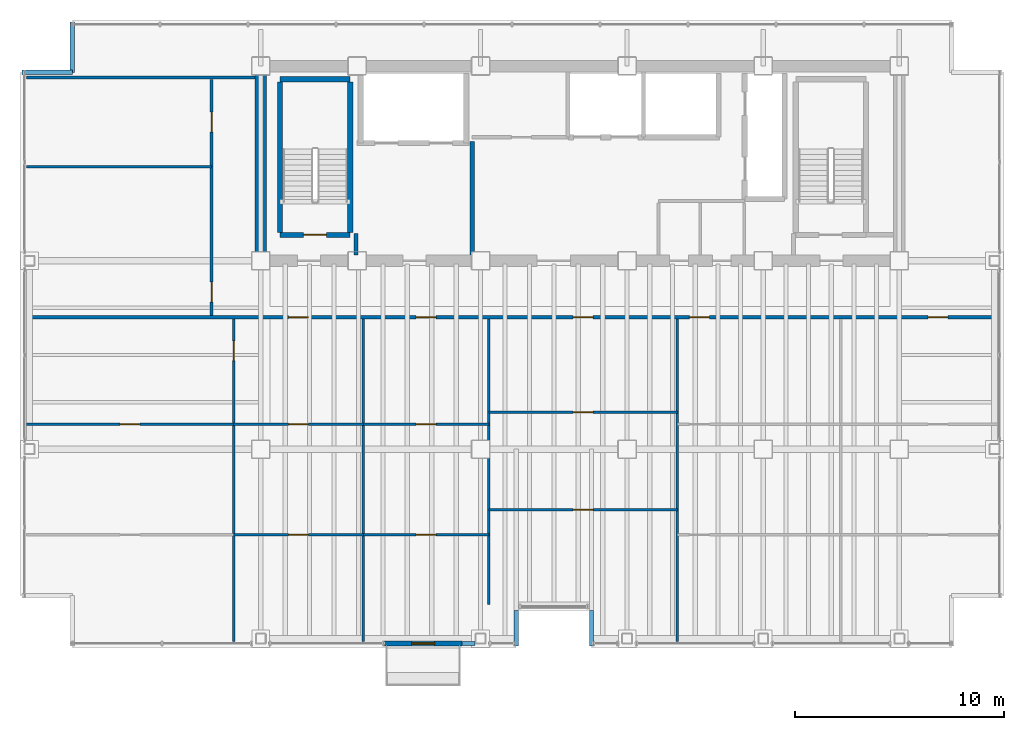
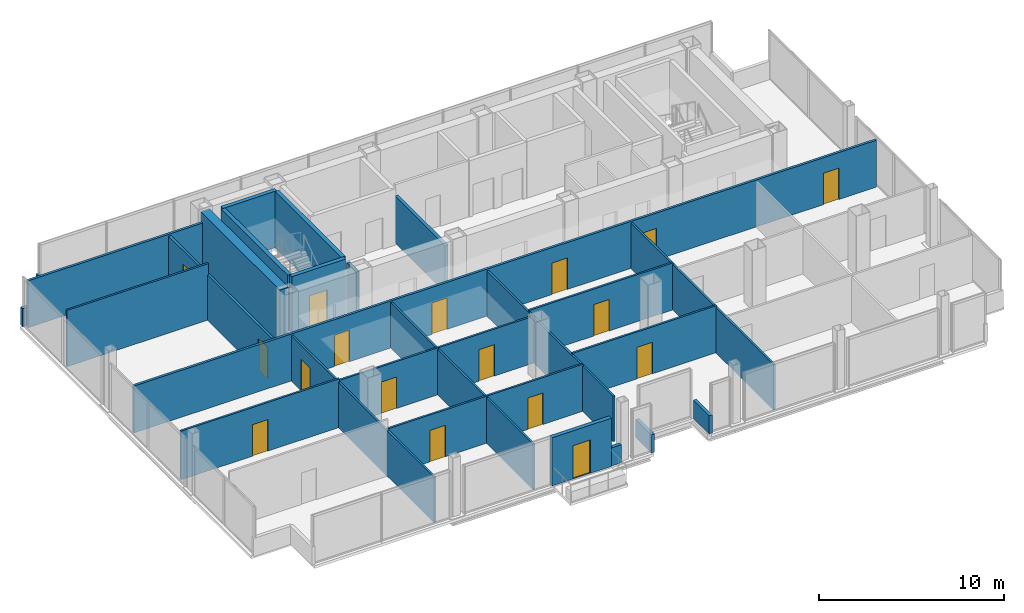
# One storey, part 19 of 22: 28 walls, 17 doors, 17 openings.
"""IFC4 building model written with IfcOpenShell, lengths in metres."""

from ifc_helpers import new_model, si_unit, direction, frame, frame_2d, origin, place, context, subcontext, project, spatial, rectangle, extrude, material, layer, layer_set, type_object, element, fill, save


model = new_model("IFC4")

# Units and contexts
model_context = context("Model", 3, precision=1e-05, world=origin(), true_north=direction((0.0, 1.0)))
body_context = subcontext(model_context, "Body", "Model", "MODEL_VIEW")
ifc_project = project(units=[si_unit("LENGTHUNIT", "METRE"), si_unit("AREAUNIT", "SQUARE_METRE"), si_unit("VOLUMEUNIT", "CUBIC_METRE"), si_unit("PLANEANGLEUNIT", "RADIAN"), si_unit("MASSUNIT", "GRAM", prefix="KILO")], contexts=[model_context])

# Site, building, storey
site_placement = place(None, origin())
site = spatial("IfcSite", under=ifc_project, at=site_placement, CompositionType="ELEMENT")
building_placement = place(site_placement, origin())
building = spatial("IfcBuilding", under=site, at=building_placement, Name="Noeulbin Bourse Tower", CompositionType="ELEMENT")
storey_placement = place(building_placement, frame((0.0, 0.0, 130.5)))
storey = spatial("IfcBuildingStorey", under=building, at=storey_placement, Name="L32", CompositionType="ELEMENT", Elevation=130.5)

# Wall
ifc_material_1 = material(Name="Concrete C60/75", Category="concrete")
ifc_layer_1 = layer(ifc_material_1, 0.550048828125)
ifc_layer_set_1 = layer_set([ifc_layer_1], Name="Concrete C60/75")
wall_type_1 = type_object("IfcWallType", Name="WAL-CORE-550", PredefinedType="SHEAR", material=ifc_layer_set_1)
wall_1_placement = place(storey_placement, frame((13.5, 29.35009765625, 0.0), z_axis=(0.0, 0.0, 1.0), x_axis=(0.0, 1.0, 0.0)))
element("IfcWall", 1, at=wall_1_placement, inside=storey, type_object=wall_type_1, Name="Rear Core West Shear Wall L32", PredefinedType="SHEAR", context=body_context, shape_type="SweptSolid", body=[
    extrude(rectangle(XDim=8.599853515625, YDim=0.550048828125, at=frame_2d((4.2998046875, 0.0))), origin(), (0.0, 0.0, 1.0), 3.719970703125),
])

# Wall, opening, door
ifc_material_2 = material(Name="Precast Concrete C40/50", Category="concrete")
ifc_layer_2 = layer(ifc_material_2, 0.25)
ifc_layer_set_2 = layer_set([ifc_layer_2], Name="Precast Concrete C40/50")
wall_type_2 = type_object("IfcWallType", Name="WAL-EXT-250", PredefinedType="STANDARD", material=ifc_layer_set_2)
wall_2_placement = place(storey_placement, frame((19.39990234375, 10.719970703125, 0.0), z_axis=(0.0, 0.0, 1.0), x_axis=(1.0, 0.0, 0.0)))
wall_2 = element("IfcWall", 2, at=wall_2_placement, inside=storey, type_object=wall_type_2, Name="Balcony Threshold Wall L32", PredefinedType="STANDARD", context=body_context, shape_type="SweptSolid", body=[
    extrude(rectangle(XDim=3.7001953125, YDim=0.25, at=frame_2d((1.85009765625, 0.0))), origin(), (0.0, 0.0, 1.0), 3.179931640625),
])
opening_1_placement = place(wall_2_placement, frame((1.300048828125, 0.0, 0.0)))
opening_1 = element("IfcOpeningElement", 3, at=opening_1_placement, cuts=wall_2, Name="Opening BD-11", PredefinedType="OPENING", context=body_context, shape_type="SweptSolid", body=[
    extrude(rectangle(XDim=1.10009765625, YDim=2.199951171875, at=frame_2d((0.550048828125, 1.10009765625))), frame((0.0, 0.135009765625, 0.0), z_axis=(0.0, -1.0, 0.0), x_axis=(1.0, 0.0, 0.0)), (0.0, 0.0, 1.0), 0.27001953125),
])
ifc_material_3 = material(Name="Thermally Broken Aluminium Framed Glass", Category="aluminium")
door_type_1 = type_object("IfcDoorType", Name="DR-BAL-1100", OperationType="SINGLE_SWING_LEFT", PredefinedType="DOOR", material=ifc_material_3)
door_1_placement = place(opening_1_placement, origin())
door_1 = element("IfcDoor", 4, at=door_1_placement, inside=storey, type_object=door_type_1, Name="Tree-Balcony Access Door BD-L32", OperationType="SINGLE_SWING_RIGHT", OverallHeight=2.199951171875, OverallWidth=1.10009765625, PredefinedType="DOOR", context=body_context, shape_type="SweptSolid", body=[
    extrude(rectangle(XDim=1.10009765625, YDim=2.199951171875, at=frame_2d((0.550048828125, 1.10009765625))), frame((0.0, 0.02490234375, 0.0), z_axis=(0.0, -1.0, 0.0), x_axis=(1.0, 0.0, 0.0)), (0.0, 0.0, 1.0), 0.050048828125),
])
fill(opening_1, door_1)

# Walls
ifc_material_4 = material(Name="Concrete C40/50", Category="concrete")
ifc_layer_3 = layer(ifc_material_4, 0.199951171875)
ifc_layer_set_3 = layer_set([ifc_layer_3], Name="Concrete C40/50")
wall_type_3 = type_object("IfcWallType", Name="WAL-FIRE-200", PredefinedType="STANDARD", material=ifc_layer_set_3)
wall_3_placement = place(storey_placement, frame((18.050048828125, 29.284912109375, 0.0), z_axis=(0.0, 0.0, 1.0), x_axis=(0.0, 1.0, 0.0)))
element("IfcWall", 5, at=wall_3_placement, inside=storey, type_object=wall_type_3, Name="Interior Partition Wall L32-19", PredefinedType="STANDARD", context=body_context, shape_type="SweptSolid", body=[
    extrude(rectangle(XDim=1.01513671875, YDim=0.199951171875, at=frame_2d((0.507568359375, 0.0))), origin(), (0.0, 0.0, 1.0), 3.300048828125),
])
wall_4_placement = place(storey_placement, frame((23.60009765625, 29.284912109375, 0.0), z_axis=(0.0, 0.0, 1.0), x_axis=(0.0, 1.0, 0.0)))
element("IfcWall", 6, at=wall_4_placement, inside=storey, type_object=wall_type_3, Name="Interior Partition Wall L32-21", PredefinedType="STANDARD", context=body_context, shape_type="SweptSolid", body=[
    extrude(rectangle(XDim=5.4150390625, YDim=0.199951171875, at=frame_2d((2.70751953125, 0.0))), origin(), (0.0, 0.0, 1.0), 3.10009765625),
])
ifc_layer_4 = layer(ifc_material_4, 0.199951171875)
ifc_layer_set_4 = layer_set([ifc_layer_4], Name="Concrete C40/50")
wall_type_4 = type_object("IfcWallType", Name="WAL-PAR-200", PredefinedType="PARAPET", material=ifc_layer_set_4)
wall_5_placement = place(storey_placement, frame((23.10009765625, 10.719970703125, 0.0), z_axis=(0.0, 0.0, 1.0), x_axis=(1.0, 0.0, 0.0)))
element("IfcWall", 7, at=wall_5_placement, inside=storey, type_object=wall_type_4, Name="Perimeter Pier Spandrel Parapet L32-S1", PredefinedType="PARAPET", context=body_context, shape_type="SweptSolid", body=[
    extrude(rectangle(XDim=0.6298828125, YDim=0.199951171875, at=frame_2d((0.31494140625, 0.0))), origin(), (0.0, 0.0, 1.0), 1.199951171875),
])
for number, where, z_axis, x_axis, name in (
    (8, (2.10009765625, 38.0, 0.0), (0.0, 0.0, 1.0), (1.0, 0.0, 0.0), "Corner Notch Parapet L32-NW1"),
    (9, (4.5, 38.0, 0.0), (0.0, 0.0, 1.0), (0.0, 1.0, 0.0), "Corner Notch Parapet L32-NW2"),
):
    element("IfcWall", number, at=place(storey_placement, frame(where, z_axis=z_axis, x_axis=x_axis)), inside=storey, type_object=wall_type_4, Name=name, PredefinedType="PARAPET", context=body_context, shape_type="SweptSolid", body=[
        extrude(rectangle(XDim=2.39990234375, YDim=0.199951171875, at=frame_2d((1.199951171875, 0.0))), origin(), (0.0, 0.0, 1.0), 1.199951171875),
    ])
for number, where, z_axis, x_axis, name in (
    (10, (25.699951171875, 10.60009765625, 0.0), (0.0, 0.0, 1.0), (0.0, 1.0, 0.0), "Sky-Garden Recess Parapet L32-W"),
    (11, (29.300048828125, 12.300048828125, 0.0), (0.0, 0.0, 1.0), (0.0, -1.0, 0.0), "Sky-Garden Recess Parapet L32-E"),
):
    element("IfcWall", number, at=place(storey_placement, frame(where, z_axis=z_axis, x_axis=x_axis)), inside=storey, type_object=wall_type_4, Name=name, PredefinedType="PARAPET", context=body_context, shape_type="SweptSolid", body=[
        extrude(rectangle(XDim=1.699951171875, YDim=0.199951171875, at=frame_2d((0.85009765625, 0.0))), origin(), (0.0, 0.0, 1.0), 1.199951171875),
    ])

# Wall, opening, door
ifc_material_5 = material(Name="Steel Stud Gypsum Partition", Category="steel")
ifc_layer_5 = layer(ifc_material_5, 0.1201171875)
ifc_layer_set_5 = layer_set([ifc_layer_5], Name="Steel Stud Gypsum Partition")
wall_type_5 = type_object("IfcWallType", Name="WAL-PRT-120", PredefinedType="PARTITIONING", material=ifc_layer_set_5)
wall_6_placement = place(storey_placement, frame((2.31005859375, 21.18798828125, 0.0), z_axis=(0.0, 0.0, 1.0), x_axis=(1.0, 0.0, 0.0)))
wall_6 = element("IfcWall", 12, at=wall_6_placement, inside=storey, type_object=wall_type_5, Name="Interior Partition Wall L32-06", PredefinedType="PARTITIONING", context=body_context, shape_type="SweptSolid", body=[
    extrude(rectangle(XDim=9.889892578125, YDim=0.1201171875, at=frame_2d((4.94482421875, 0.0))), origin(), (0.0, 0.0, 1.0), 3.2119140625),
])
opening_2_placement = place(wall_6_placement, frame((4.469970703125, 0.0, 0.0)))
opening_2 = element("IfcOpeningElement", 13, at=opening_2_placement, cuts=wall_6, Name="Opening ID-09", PredefinedType="OPENING", context=body_context, shape_type="SweptSolid", body=[
    extrude(rectangle(XDim=0.949951171875, YDim=2.080078125, at=frame_2d((0.47509765625, 1.0400390625))), frame((0.0, 0.070068359375, 0.0), z_axis=(0.0, -1.0, 0.0), x_axis=(1.0, 0.0, 0.0)), (0.0, 0.0, 1.0), 0.14013671875),
])
ifc_material_6 = material(Name="Acoustic Solid-Core Timber", Category="wood")
door_type_2 = type_object("IfcDoorType", Name="DR-SINGLE-950", OperationType="SINGLE_SWING_LEFT", PredefinedType="DOOR", material=ifc_material_6)
door_2_placement = place(opening_2_placement, origin())
door_2 = element("IfcDoor", 14, at=door_2_placement, inside=storey, type_object=door_type_2, Name="Interior Door L32-08", OperationType="SINGLE_SWING_LEFT", OverallHeight=2.080078125, OverallWidth=0.949951171875, PredefinedType="DOOR", context=body_context, shape_type="SweptSolid", body=[
    extrude(rectangle(XDim=0.949951171875, YDim=2.080078125, at=frame_2d((0.47509765625, 1.0400390625))), frame((0.0, 0.02490234375, 0.0), z_axis=(0.0, -1.0, 0.0), x_axis=(1.0, 0.0, 0.0)), (0.0, 0.0, 1.0), 0.050048828125),
])
fill(opening_2, door_2)

wall_7_placement = place(storey_placement, frame((12.199951171875, 21.18798828125, 0.0), z_axis=(0.0, 0.0, 1.0), x_axis=(1.0, 0.0, 0.0)))
wall_7 = element("IfcWall", 15, at=wall_7_placement, inside=storey, type_object=wall_type_5, Name="Interior Partition Wall L32-08", PredefinedType="PARTITIONING", context=body_context, shape_type="SweptSolid", body=[
    extrude(rectangle(XDim=6.199951171875, YDim=0.1201171875, at=frame_2d((3.10009765625, 0.0))), origin(), (0.0, 0.0, 1.0), 3.10009765625),
])
opening_3_placement = place(wall_7_placement, frame((2.625, 0.0, 0.0)))
opening_3 = element("IfcOpeningElement", 16, at=opening_3_placement, cuts=wall_7, Name="Opening ID-09", PredefinedType="OPENING", context=body_context, shape_type="SweptSolid", body=[
    extrude(rectangle(XDim=0.949951171875, YDim=2.080078125, at=frame_2d((0.47509765625, 1.0400390625))), frame((0.0, 0.070068359375, 0.0), z_axis=(0.0, -1.0, 0.0), x_axis=(1.0, 0.0, 0.0)), (0.0, 0.0, 1.0), 0.14013671875),
])
door_3_placement = place(opening_3_placement, origin())
door_3 = element("IfcDoor", 17, at=door_3_placement, inside=storey, type_object=door_type_2, Name="Interior Door L32-11", OperationType="SINGLE_SWING_RIGHT", OverallHeight=2.080078125, OverallWidth=0.949951171875, PredefinedType="DOOR", context=body_context, shape_type="SweptSolid", body=[
    extrude(rectangle(XDim=0.949951171875, YDim=2.080078125, at=frame_2d((0.47509765625, 1.0400390625))), frame((0.0, 0.02490234375, 0.0), z_axis=(0.0, -1.0, 0.0), x_axis=(1.0, 0.0, 0.0)), (0.0, 0.0, 1.0), 0.050048828125),
])
fill(opening_3, door_3)

wall_8_placement = place(storey_placement, frame((12.199951171875, 15.922119140625, 0.0), z_axis=(0.0, 0.0, 1.0), x_axis=(1.0, 0.0, 0.0)))
wall_8 = element("IfcWall", 18, at=wall_8_placement, inside=storey, type_object=wall_type_5, Name="Interior Partition Wall L32-09", PredefinedType="PARTITIONING", context=body_context, shape_type="SweptSolid", body=[
    extrude(rectangle(XDim=6.199951171875, YDim=0.1201171875, at=frame_2d((3.10009765625, 0.0))), origin(), (0.0, 0.0, 1.0), 3.10009765625),
])
opening_4_placement = place(wall_8_placement, frame((2.625, 0.0, 0.0)))
opening_4 = element("IfcOpeningElement", 19, at=opening_4_placement, cuts=wall_8, Name="Opening ID-09", PredefinedType="OPENING", context=body_context, shape_type="SweptSolid", body=[
    extrude(rectangle(XDim=0.949951171875, YDim=2.080078125, at=frame_2d((0.47509765625, 1.0400390625))), frame((0.0, 0.070068359375, 0.0), z_axis=(0.0, -1.0, 0.0), x_axis=(1.0, 0.0, 0.0)), (0.0, 0.0, 1.0), 0.14013671875),
])
door_4_placement = place(opening_4_placement, origin())
door_4 = element("IfcDoor", 20, at=door_4_placement, inside=storey, type_object=door_type_2, Name="Interior Door L32-12", OperationType="SINGLE_SWING_LEFT", OverallHeight=2.080078125, OverallWidth=0.949951171875, PredefinedType="DOOR", context=body_context, shape_type="SweptSolid", body=[
    extrude(rectangle(XDim=0.949951171875, YDim=2.080078125, at=frame_2d((0.47509765625, 1.0400390625))), frame((0.0, 0.02490234375, 0.0), z_axis=(0.0, -1.0, 0.0), x_axis=(1.0, 0.0, 0.0)), (0.0, 0.0, 1.0), 0.050048828125),
])
fill(opening_4, door_4)

wall_9_placement = place(storey_placement, frame((18.39990234375, 21.18798828125, 0.0), z_axis=(0.0, 0.0, 1.0), x_axis=(1.0, 0.0, 0.0)))
wall_9 = element("IfcWall", 21, at=wall_9_placement, inside=storey, type_object=wall_type_5, Name="Interior Partition Wall L32-10", PredefinedType="PARTITIONING", context=body_context, shape_type="SweptSolid", body=[
    extrude(rectangle(XDim=6.0, YDim=0.1201171875, at=frame_2d((3.0, 0.0))), origin(), (0.0, 0.0, 1.0), 3.10009765625),
])
opening_5_placement = place(wall_9_placement, frame((2.52490234375, 0.0, 0.0)))
opening_5 = element("IfcOpeningElement", 22, at=opening_5_placement, cuts=wall_9, Name="Opening ID-09", PredefinedType="OPENING", context=body_context, shape_type="SweptSolid", body=[
    extrude(rectangle(XDim=0.949951171875, YDim=2.080078125, at=frame_2d((0.47509765625, 1.0400390625))), frame((0.0, 0.070068359375, 0.0), z_axis=(0.0, -1.0, 0.0), x_axis=(1.0, 0.0, 0.0)), (0.0, 0.0, 1.0), 0.14013671875),
])
door_5_placement = place(opening_5_placement, origin())
door_5 = element("IfcDoor", 23, at=door_5_placement, inside=storey, type_object=door_type_2, Name="Interior Door L32-14", OperationType="SINGLE_SWING_LEFT", OverallHeight=2.080078125, OverallWidth=0.949951171875, PredefinedType="DOOR", context=body_context, shape_type="SweptSolid", body=[
    extrude(rectangle(XDim=0.949951171875, YDim=2.080078125, at=frame_2d((0.47509765625, 1.0400390625))), frame((0.0, 0.02490234375, 0.0), z_axis=(0.0, -1.0, 0.0), x_axis=(1.0, 0.0, 0.0)), (0.0, 0.0, 1.0), 0.050048828125),
])
fill(opening_5, door_5)

wall_10_placement = place(storey_placement, frame((18.39990234375, 15.922119140625, 0.0), z_axis=(0.0, 0.0, 1.0), x_axis=(1.0, 0.0, 0.0)))
wall_10 = element("IfcWall", 24, at=wall_10_placement, inside=storey, type_object=wall_type_5, Name="Interior Partition Wall L32-11", PredefinedType="PARTITIONING", context=body_context, shape_type="SweptSolid", body=[
    extrude(rectangle(XDim=6.0, YDim=0.1201171875, at=frame_2d((3.0, 0.0))), origin(), (0.0, 0.0, 1.0), 3.10009765625),
])
opening_6_placement = place(wall_10_placement, frame((2.52490234375, 0.0, 0.0)))
opening_6 = element("IfcOpeningElement", 25, at=opening_6_placement, cuts=wall_10, Name="Opening ID-09", PredefinedType="OPENING", context=body_context, shape_type="SweptSolid", body=[
    extrude(rectangle(XDim=0.949951171875, YDim=2.080078125, at=frame_2d((0.47509765625, 1.0400390625))), frame((0.0, 0.070068359375, 0.0), z_axis=(0.0, -1.0, 0.0), x_axis=(1.0, 0.0, 0.0)), (0.0, 0.0, 1.0), 0.14013671875),
])
door_6_placement = place(opening_6_placement, origin())
door_6 = element("IfcDoor", 26, at=door_6_placement, inside=storey, type_object=door_type_2, Name="Interior Door L32-15", OperationType="SINGLE_SWING_RIGHT", OverallHeight=2.080078125, OverallWidth=0.949951171875, PredefinedType="DOOR", context=body_context, shape_type="SweptSolid", body=[
    extrude(rectangle(XDim=0.949951171875, YDim=2.080078125, at=frame_2d((0.47509765625, 1.0400390625))), frame((0.0, 0.02490234375, 0.0), z_axis=(0.0, -1.0, 0.0), x_axis=(1.0, 0.0, 0.0)), (0.0, 0.0, 1.0), 0.050048828125),
])
fill(opening_6, door_6)

wall_11_placement = place(storey_placement, frame((24.39990234375, 21.76904296875, 0.0), z_axis=(0.0, 0.0, 1.0), x_axis=(1.0, 0.0, 0.0)))
wall_11 = element("IfcWall", 27, at=wall_11_placement, inside=storey, type_object=wall_type_5, Name="Interior Partition Wall L32-12", PredefinedType="PARTITIONING", context=body_context, shape_type="SweptSolid", body=[
    extrude(rectangle(XDim=9.0, YDim=0.1201171875, at=frame_2d((4.5, 0.0))), origin(), (0.0, 0.0, 1.0), 3.10009765625),
])
opening_7_placement = place(wall_11_placement, frame((4.02490234375, 0.0, 0.0)))
opening_7 = element("IfcOpeningElement", 28, at=opening_7_placement, cuts=wall_11, Name="Opening ID-09", PredefinedType="OPENING", context=body_context, shape_type="SweptSolid", body=[
    extrude(rectangle(XDim=0.949951171875, YDim=2.080078125, at=frame_2d((0.47509765625, 1.0400390625))), frame((0.0, 0.070068359375, 0.0), z_axis=(0.0, -1.0, 0.0), x_axis=(1.0, 0.0, 0.0)), (0.0, 0.0, 1.0), 0.14013671875),
])
door_7_placement = place(opening_7_placement, origin())
door_7 = element("IfcDoor", 29, at=door_7_placement, inside=storey, type_object=door_type_2, Name="Interior Door L32-17", OperationType="SINGLE_SWING_RIGHT", OverallHeight=2.080078125, OverallWidth=0.949951171875, PredefinedType="DOOR", context=body_context, shape_type="SweptSolid", body=[
    extrude(rectangle(XDim=0.949951171875, YDim=2.080078125, at=frame_2d((0.47509765625, 1.0400390625))), frame((0.0, 0.02490234375, 0.0), z_axis=(0.0, -1.0, 0.0), x_axis=(1.0, 0.0, 0.0)), (0.0, 0.0, 1.0), 0.050048828125),
])
fill(opening_7, door_7)

wall_12_placement = place(storey_placement, frame((24.39990234375, 17.10107421875, 0.0), z_axis=(0.0, 0.0, 1.0), x_axis=(1.0, 0.0, 0.0)))
wall_12 = element("IfcWall", 30, at=wall_12_placement, inside=storey, type_object=wall_type_5, Name="Interior Partition Wall L32-13", PredefinedType="PARTITIONING", context=body_context, shape_type="SweptSolid", body=[
    extrude(rectangle(XDim=9.0, YDim=0.1201171875, at=frame_2d((4.5, 0.0))), origin(), (0.0, 0.0, 1.0), 3.10009765625),
])
opening_8_placement = place(wall_12_placement, frame((4.02490234375, 0.0, 0.0)))
opening_8 = element("IfcOpeningElement", 31, at=opening_8_placement, cuts=wall_12, Name="Opening ID-09", PredefinedType="OPENING", context=body_context, shape_type="SweptSolid", body=[
    extrude(rectangle(XDim=0.949951171875, YDim=2.080078125, at=frame_2d((0.47509765625, 1.0400390625))), frame((0.0, 0.070068359375, 0.0), z_axis=(0.0, -1.0, 0.0), x_axis=(1.0, 0.0, 0.0)), (0.0, 0.0, 1.0), 0.14013671875),
])
door_8_placement = place(opening_8_placement, origin())
door_8 = element("IfcDoor", 32, at=door_8_placement, inside=storey, type_object=door_type_2, Name="Interior Door L32-18", OperationType="SINGLE_SWING_LEFT", OverallHeight=2.080078125, OverallWidth=0.949951171875, PredefinedType="DOOR", context=body_context, shape_type="SweptSolid", body=[
    extrude(rectangle(XDim=0.949951171875, YDim=2.080078125, at=frame_2d((0.47509765625, 1.0400390625))), frame((0.0, 0.02490234375, 0.0), z_axis=(0.0, -1.0, 0.0), x_axis=(1.0, 0.0, 0.0)), (0.0, 0.0, 1.0), 0.050048828125),
])
fill(opening_8, door_8)

# Wall
wall_13_placement = place(storey_placement, frame((2.31005859375, 33.5, 0.0), z_axis=(0.0, 0.0, 1.0), x_axis=(1.0, 0.0, 0.0)))
element("IfcWall", 33, at=wall_13_placement, inside=storey, type_object=wall_type_5, Name="Interior Partition Wall L32-18", PredefinedType="PARTITIONING", context=body_context, shape_type="SweptSolid", body=[
    extrude(rectangle(XDim=8.83984375, YDim=0.1201171875, at=frame_2d((4.419921875, 0.0))), origin(), (0.0, 0.0, 1.0), 3.719970703125),
])

# Wall, opening, door
wall_14_placement = place(storey_placement, frame((12.199951171875, 10.81005859375, 0.0), z_axis=(0.0, 0.0, 1.0), x_axis=(0.0, 1.0, 0.0)))
wall_14 = element("IfcWall", 34, at=wall_14_placement, inside=storey, type_object=wall_type_5, Name="Interior Partition Wall L32-26", PredefinedType="PARTITIONING", context=body_context, shape_type="SweptSolid", body=[
    extrude(rectangle(XDim=15.405029296875, YDim=0.1201171875, at=frame_2d((7.70263671875, 0.0))), origin(), (0.0, 0.0, 1.0), 3.0),
])
opening_9_placement = place(wall_14_placement, frame((13.4150390625, 0.0, 0.0)))
opening_9 = element("IfcOpeningElement", 35, at=opening_9_placement, cuts=wall_14, Name="Opening ID-09", PredefinedType="OPENING", context=body_context, shape_type="SweptSolid", body=[
    extrude(rectangle(XDim=0.949951171875, YDim=2.080078125, at=frame_2d((0.47509765625, 1.0400390625))), frame((0.0, 0.070068359375, 0.0), z_axis=(0.0, -1.0, 0.0), x_axis=(1.0, 0.0, 0.0)), (0.0, 0.0, 1.0), 0.14013671875),
])
door_9_placement = place(opening_9_placement, origin())
door_9 = element("IfcDoor", 36, at=door_9_placement, inside=storey, type_object=door_type_2, Name="Interior Door L32-10", OperationType="SINGLE_SWING_LEFT", OverallHeight=2.080078125, OverallWidth=0.949951171875, PredefinedType="DOOR", context=body_context, shape_type="SweptSolid", body=[
    extrude(rectangle(XDim=0.949951171875, YDim=2.080078125, at=frame_2d((0.47509765625, 1.0400390625))), frame((0.0, 0.02490234375, 0.0), z_axis=(0.0, -1.0, 0.0), x_axis=(1.0, 0.0, 0.0)), (0.0, 0.0, 1.0), 0.050048828125),
])
fill(opening_9, door_9)

# Walls
wall_15_placement = place(storey_placement, frame((18.39990234375, 10.81005859375, 0.0), z_axis=(0.0, 0.0, 1.0), x_axis=(0.0, 1.0, 0.0)))
element("IfcWall", 37, at=wall_15_placement, inside=storey, type_object=wall_type_5, Name="Interior Partition Wall L32-27", PredefinedType="PARTITIONING", context=body_context, shape_type="SweptSolid", body=[
    extrude(rectangle(XDim=15.405029296875, YDim=0.1201171875, at=frame_2d((7.70263671875, 0.0))), origin(), (0.0, 0.0, 1.0), 3.0),
])
wall_16_placement = place(storey_placement, frame((24.39990234375, 12.570068359375, 0.0), z_axis=(0.0, 0.0, 1.0), x_axis=(0.0, 1.0, 0.0)))
element("IfcWall", 38, at=wall_16_placement, inside=storey, type_object=wall_type_5, Name="Interior Partition Wall L32-28", PredefinedType="PARTITIONING", context=body_context, shape_type="SweptSolid", body=[
    extrude(rectangle(XDim=13.64501953125, YDim=0.1201171875, at=frame_2d((6.822509765625, 0.0))), origin(), (0.0, 0.0, 1.0), 3.0),
])
wall_17_placement = place(storey_placement, frame((33.39990234375, 10.81005859375, 0.0), z_axis=(0.0, 0.0, 1.0), x_axis=(0.0, 1.0, 0.0)))
element("IfcWall", 39, at=wall_17_placement, inside=storey, type_object=wall_type_5, Name="Interior Partition Wall L32-29", PredefinedType="PARTITIONING", context=body_context, shape_type="SweptSolid", body=[
    extrude(rectangle(XDim=15.405029296875, YDim=0.1201171875, at=frame_2d((7.70263671875, 0.0))), origin(), (0.0, 0.0, 1.0), 3.0),
])

# Wall, openings, doors
ifc_material_7 = material(Name="Steel Stud Acoustic Gypsum Board", Category="steel")
ifc_layer_6 = layer(ifc_material_7, 0.14990234375)
ifc_layer_set_6 = layer_set([ifc_layer_6], Name="Steel Stud Acoustic Gypsum Board")
wall_type_6 = type_object("IfcWallType", Name="WAL-PRT-150", PredefinedType="PARTITIONING", material=ifc_layer_set_6)
wall_18_placement = place(storey_placement, frame((2.31005859375, 26.300048828125, 0.0), z_axis=(0.0, 0.0, 1.0), x_axis=(1.0, 0.0, 0.0)))
wall_18 = element("IfcWall", 40, at=wall_18_placement, inside=storey, type_object=wall_type_6, Name="Interior Partition Wall L32-04", PredefinedType="PARTITIONING", context=body_context, shape_type="SweptSolid", body=[
    extrude(rectangle(XDim=46.3798828125, YDim=0.14990234375, at=frame_2d((23.18994140625, 0.0))), origin(), (0.0, 0.0, 1.0), 3.10009765625),
])
opening_10_placement = place(wall_18_placement, frame((12.514892578125, 0.0, 0.0)))
opening_10 = element("IfcOpeningElement", 41, at=opening_10_placement, cuts=wall_18, Name="Opening ID-09", PredefinedType="OPENING", context=body_context, shape_type="SweptSolid", body=[
    extrude(rectangle(XDim=0.949951171875, YDim=2.080078125, at=frame_2d((0.47509765625, 1.0400390625))), frame((0.0, 0.0849609375, 0.0), z_axis=(0.0, -1.0, 0.0), x_axis=(1.0, 0.0, 0.0)), (0.0, 0.0, 1.0), 0.169921875),
])
opening_11_placement = place(wall_18_placement, frame((18.614990234375, 0.0, 0.0)))
opening_11 = element("IfcOpeningElement", 42, at=opening_11_placement, cuts=wall_18, Name="Opening ID-09", PredefinedType="OPENING", context=body_context, shape_type="SweptSolid", body=[
    extrude(rectangle(XDim=0.949951171875, YDim=2.080078125, at=frame_2d((0.47509765625, 1.0400390625))), frame((0.0, 0.0849609375, 0.0), z_axis=(0.0, -1.0, 0.0), x_axis=(1.0, 0.0, 0.0)), (0.0, 0.0, 1.0), 0.169921875),
])
opening_12_placement = place(wall_18_placement, frame((26.114990234375, 0.0, 0.0)))
opening_12 = element("IfcOpeningElement", 43, at=opening_12_placement, cuts=wall_18, Name="Opening ID-09", PredefinedType="OPENING", context=body_context, shape_type="SweptSolid", body=[
    extrude(rectangle(XDim=0.949951171875, YDim=2.080078125, at=frame_2d((0.47509765625, 1.0400390625))), frame((0.0, 0.0849609375, 0.0), z_axis=(0.0, -1.0, 0.0), x_axis=(1.0, 0.0, 0.0)), (0.0, 0.0, 1.0), 0.169921875),
])
opening_13_placement = place(wall_18_placement, frame((31.6650390625, 0.0, 0.0)))
opening_13 = element("IfcOpeningElement", 44, at=opening_13_placement, cuts=wall_18, Name="Opening ID-09", PredefinedType="OPENING", context=body_context, shape_type="SweptSolid", body=[
    extrude(rectangle(XDim=0.949951171875, YDim=2.080078125, at=frame_2d((0.47509765625, 1.0400390625))), frame((0.0, 0.0849609375, 0.0), z_axis=(0.0, -1.0, 0.0), x_axis=(1.0, 0.0, 0.0)), (0.0, 0.0, 1.0), 0.169921875),
])
opening_14_placement = place(wall_18_placement, frame((43.06005859375, 0.0, 0.0)))
opening_14 = element("IfcOpeningElement", 45, at=opening_14_placement, cuts=wall_18, Name="Opening ID-09", PredefinedType="OPENING", context=body_context, shape_type="SweptSolid", body=[
    extrude(rectangle(XDim=0.949951171875, YDim=2.080078125, at=frame_2d((0.47509765625, 1.0400390625))), frame((0.0, 0.0849609375, 0.0), z_axis=(0.0, -1.0, 0.0), x_axis=(1.0, 0.0, 0.0)), (0.0, 0.0, 1.0), 0.169921875),
])
door_10_placement = place(opening_10_placement, origin())
door_10 = element("IfcDoor", 46, at=door_10_placement, inside=storey, type_object=door_type_2, Name="Interior Door L32-13", OperationType="SINGLE_SWING_RIGHT", OverallHeight=2.080078125, OverallWidth=0.949951171875, PredefinedType="DOOR", context=body_context, shape_type="SweptSolid", body=[
    extrude(rectangle(XDim=0.949951171875, YDim=2.080078125, at=frame_2d((0.47509765625, 1.0400390625))), frame((0.0, 0.02490234375, 0.0), z_axis=(0.0, -1.0, 0.0), x_axis=(1.0, 0.0, 0.0)), (0.0, 0.0, 1.0), 0.050048828125),
])
fill(opening_10, door_10)
door_11_placement = place(opening_11_placement, origin())
door_11 = element("IfcDoor", 47, at=door_11_placement, inside=storey, type_object=door_type_2, Name="Interior Door L32-16", OperationType="SINGLE_SWING_LEFT", OverallHeight=2.080078125, OverallWidth=0.949951171875, PredefinedType="DOOR", context=body_context, shape_type="SweptSolid", body=[
    extrude(rectangle(XDim=0.949951171875, YDim=2.080078125, at=frame_2d((0.47509765625, 1.0400390625))), frame((0.0, 0.02490234375, 0.0), z_axis=(0.0, -1.0, 0.0), x_axis=(1.0, 0.0, 0.0)), (0.0, 0.0, 1.0), 0.050048828125),
])
fill(opening_11, door_11)
door_12_placement = place(opening_12_placement, origin())
door_12 = element("IfcDoor", 48, at=door_12_placement, inside=storey, type_object=door_type_2, Name="Interior Door L32-19", OperationType="SINGLE_SWING_RIGHT", OverallHeight=2.080078125, OverallWidth=0.949951171875, PredefinedType="DOOR", context=body_context, shape_type="SweptSolid", body=[
    extrude(rectangle(XDim=0.949951171875, YDim=2.080078125, at=frame_2d((0.47509765625, 1.0400390625))), frame((0.0, 0.02490234375, 0.0), z_axis=(0.0, -1.0, 0.0), x_axis=(1.0, 0.0, 0.0)), (0.0, 0.0, 1.0), 0.050048828125),
])
fill(opening_12, door_12)
door_13_placement = place(opening_13_placement, origin())
door_13 = element("IfcDoor", 49, at=door_13_placement, inside=storey, type_object=door_type_2, Name="Interior Door L32-22", OperationType="SINGLE_SWING_LEFT", OverallHeight=2.080078125, OverallWidth=0.949951171875, PredefinedType="DOOR", context=body_context, shape_type="SweptSolid", body=[
    extrude(rectangle(XDim=0.949951171875, YDim=2.080078125, at=frame_2d((0.47509765625, 1.0400390625))), frame((0.0, 0.02490234375, 0.0), z_axis=(0.0, -1.0, 0.0), x_axis=(1.0, 0.0, 0.0)), (0.0, 0.0, 1.0), 0.050048828125),
])
fill(opening_13, door_13)
door_14_placement = place(opening_14_placement, origin())
door_14 = element("IfcDoor", 50, at=door_14_placement, inside=storey, type_object=door_type_2, Name="Interior Door L32-25", OperationType="SINGLE_SWING_RIGHT", OverallHeight=2.080078125, OverallWidth=0.949951171875, PredefinedType="DOOR", context=body_context, shape_type="SweptSolid", body=[
    extrude(rectangle(XDim=0.949951171875, YDim=2.080078125, at=frame_2d((0.47509765625, 1.0400390625))), frame((0.0, 0.02490234375, 0.0), z_axis=(0.0, -1.0, 0.0), x_axis=(1.0, 0.0, 0.0)), (0.0, 0.0, 1.0), 0.050048828125),
])
fill(opening_14, door_14)

# Wall
wall_19_placement = place(storey_placement, frame((2.31005859375, 37.75, 0.0), z_axis=(0.0, 0.0, 1.0), x_axis=(1.0, 0.0, 0.0)))
element("IfcWall", 51, at=wall_19_placement, inside=storey, type_object=wall_type_6, Name="Interior Partition Wall L32-05", PredefinedType="PARTITIONING", context=body_context, shape_type="SweptSolid", body=[
    extrude(rectangle(XDim=10.905029296875, YDim=0.14990234375, at=frame_2d((5.45263671875, 0.0))), origin(), (0.0, 0.0, 1.0), 3.10009765625),
])

# Wall, openings, doors
wall_20_placement = place(storey_placement, frame((11.14990234375, 26.385009765625, 0.0), z_axis=(0.0, 0.0, 1.0), x_axis=(0.0, 1.0, 0.0)))
wall_20 = element("IfcWall", 52, at=wall_20_placement, inside=storey, type_object=wall_type_6, Name="Interior Partition Wall L32-25", PredefinedType="PARTITIONING", context=body_context, shape_type="SweptSolid", body=[
    extrude(rectangle(XDim=11.280029296875, YDim=0.14990234375, at=frame_2d((5.64013671875, 0.0))), origin(), (0.0, 0.0, 1.0), 3.0),
])
opening_15_placement = place(wall_20_placement, frame((0.639892578125, 0.0, 0.0)))
opening_15 = element("IfcOpeningElement", 53, at=opening_15_placement, cuts=wall_20, Name="Opening ID-09", PredefinedType="OPENING", context=body_context, shape_type="SweptSolid", body=[
    extrude(rectangle(XDim=0.949951171875, YDim=2.080078125, at=frame_2d((0.47509765625, 1.0400390625))), frame((0.0, 0.0849609375, 0.0), z_axis=(0.0, -1.0, 0.0), x_axis=(1.0, 0.0, 0.0)), (0.0, 0.0, 1.0), 0.169921875),
])
opening_16_placement = place(wall_20_placement, frame((8.764892578125, 0.0, 0.0)))
opening_16 = element("IfcOpeningElement", 54, at=opening_16_placement, cuts=wall_20, Name="Opening ID-09", PredefinedType="OPENING", context=body_context, shape_type="SweptSolid", body=[
    extrude(rectangle(XDim=0.949951171875, YDim=2.080078125, at=frame_2d((0.47509765625, 1.0400390625))), frame((0.0, 0.0849609375, 0.0), z_axis=(0.0, -1.0, 0.0), x_axis=(1.0, 0.0, 0.0)), (0.0, 0.0, 1.0), 0.169921875),
])
door_15_placement = place(opening_15_placement, origin())
door_15 = element("IfcDoor", 55, at=door_15_placement, inside=storey, type_object=door_type_2, Name="Interior Door L32-26", OperationType="SINGLE_SWING_LEFT", OverallHeight=2.080078125, OverallWidth=0.949951171875, PredefinedType="DOOR", context=body_context, shape_type="SweptSolid", body=[
    extrude(rectangle(XDim=0.949951171875, YDim=2.080078125, at=frame_2d((0.47509765625, 1.0400390625))), frame((0.0, 0.02490234375, 0.0), z_axis=(0.0, -1.0, 0.0), x_axis=(1.0, 0.0, 0.0)), (0.0, 0.0, 1.0), 0.050048828125),
])
fill(opening_15, door_15)
door_16_placement = place(opening_16_placement, origin())
door_16 = element("IfcDoor", 56, at=door_16_placement, inside=storey, type_object=door_type_2, Name="Interior Door L32-27", OperationType="SINGLE_SWING_RIGHT", OverallHeight=2.080078125, OverallWidth=0.949951171875, PredefinedType="DOOR", context=body_context, shape_type="SweptSolid", body=[
    extrude(rectangle(XDim=0.949951171875, YDim=2.080078125, at=frame_2d((0.47509765625, 1.0400390625))), frame((0.0, 0.02490234375, 0.0), z_axis=(0.0, -1.0, 0.0), x_axis=(1.0, 0.0, 0.0)), (0.0, 0.0, 1.0), 0.050048828125),
])
fill(opening_16, door_16)

# Wall, opening, door
ifc_layer_7 = layer(ifc_material_4, 0.25)
ifc_layer_set_7 = layer_set([ifc_layer_7], Name="Concrete C40/50")
wall_type_7 = type_object("IfcWallType", Name="WAL-SHFT-250", PredefinedType="STANDARD", material=ifc_layer_set_7)
wall_21_placement = place(storey_placement, frame((14.429931640625, 30.235107421875, 0.0), z_axis=(0.0, 0.0, 1.0), x_axis=(1.0, 0.0, 0.0)))
wall_21 = element("IfcWall", 57, at=wall_21_placement, inside=storey, type_object=wall_type_7, Name="Stair ST-1 South Shaft Wall L32", PredefinedType="STANDARD", context=body_context, shape_type="SweptSolid", body=[
    extrude(rectangle(XDim=3.340087890625, YDim=0.25, at=frame_2d((1.669921875, 0.0))), origin(), (0.0, 0.0, 1.0), 3.719970703125),
])
opening_17_placement = place(wall_21_placement, frame((1.10009765625, 0.0, 0.0)))
opening_17 = element("IfcOpeningElement", 58, at=opening_17_placement, cuts=wall_21, Name="Opening FD-11", PredefinedType="OPENING", context=body_context, shape_type="SweptSolid", body=[
    extrude(rectangle(XDim=1.10009765625, YDim=2.080078125, at=frame_2d((0.550048828125, 1.0400390625))), frame((0.0, 0.135009765625, 0.0), z_axis=(0.0, -1.0, 0.0), x_axis=(1.0, 0.0, 0.0)), (0.0, 0.0, 1.0), 0.27001953125),
])
ifc_material_8 = material(Name="Fire-Rated Insulated Steel", Category="steel")
door_type_3 = type_object("IfcDoorType", Name="DR-FD60-1100", OperationType="SINGLE_SWING_LEFT", PredefinedType="DOOR", material=ifc_material_8)
door_17_placement = place(opening_17_placement, origin())
door_17 = element("IfcDoor", 59, at=door_17_placement, inside=storey, type_object=door_type_3, Name="Protected Stair Entry Door ST1-L32", OperationType="SINGLE_SWING_RIGHT", OverallHeight=2.080078125, OverallWidth=1.10009765625, PredefinedType="DOOR", context=body_context, shape_type="SweptSolid", body=[
    extrude(rectangle(XDim=1.10009765625, YDim=2.080078125, at=frame_2d((0.550048828125, 1.0400390625))), frame((0.0, 0.02490234375, 0.0), z_axis=(0.0, -1.0, 0.0), x_axis=(1.0, 0.0, 0.0)), (0.0, 0.0, 1.0), 0.050048828125),
])
fill(opening_17, door_17)

# Walls
wall_22_placement = place(storey_placement, frame((14.429931640625, 37.6689453125, 0.0), z_axis=(0.0, 0.0, 1.0), x_axis=(1.0, 0.0, 0.0)))
element("IfcWall", 60, at=wall_22_placement, inside=storey, type_object=wall_type_7, Name="Stair ST-1 North Shaft Wall L32", PredefinedType="STANDARD", context=body_context, shape_type="SweptSolid", body=[
    extrude(rectangle(XDim=3.340087890625, YDim=0.25, at=frame_2d((1.669921875, 0.0))), origin(), (0.0, 0.0, 1.0), 3.719970703125),
])
for number, where, z_axis, x_axis, name in (
    (61, (14.425048828125, 30.360107421875, 0.0), (0.0, 0.0, 1.0), (0.0, 1.0, 0.0), "Stair ST-1 West Shaft Wall L32"),
    (62, (17.77490234375, 30.360107421875, 0.0), (0.0, 0.0, 1.0), (0.0, 1.0, 0.0), "Stair ST-1 East Shaft Wall L32"),
):
    element("IfcWall", number, at=place(storey_placement, frame(where, z_axis=z_axis, x_axis=x_axis)), inside=storey, type_object=wall_type_7, Name=name, PredefinedType="STANDARD", context=body_context, shape_type="SweptSolid", body=[
        extrude(rectangle(XDim=7.183837890625, YDim=0.25, at=frame_2d((3.591796875, 0.0))), origin(), (0.0, 0.0, 1.0), 3.719970703125),
    ])

save(model, "model.ifc")
